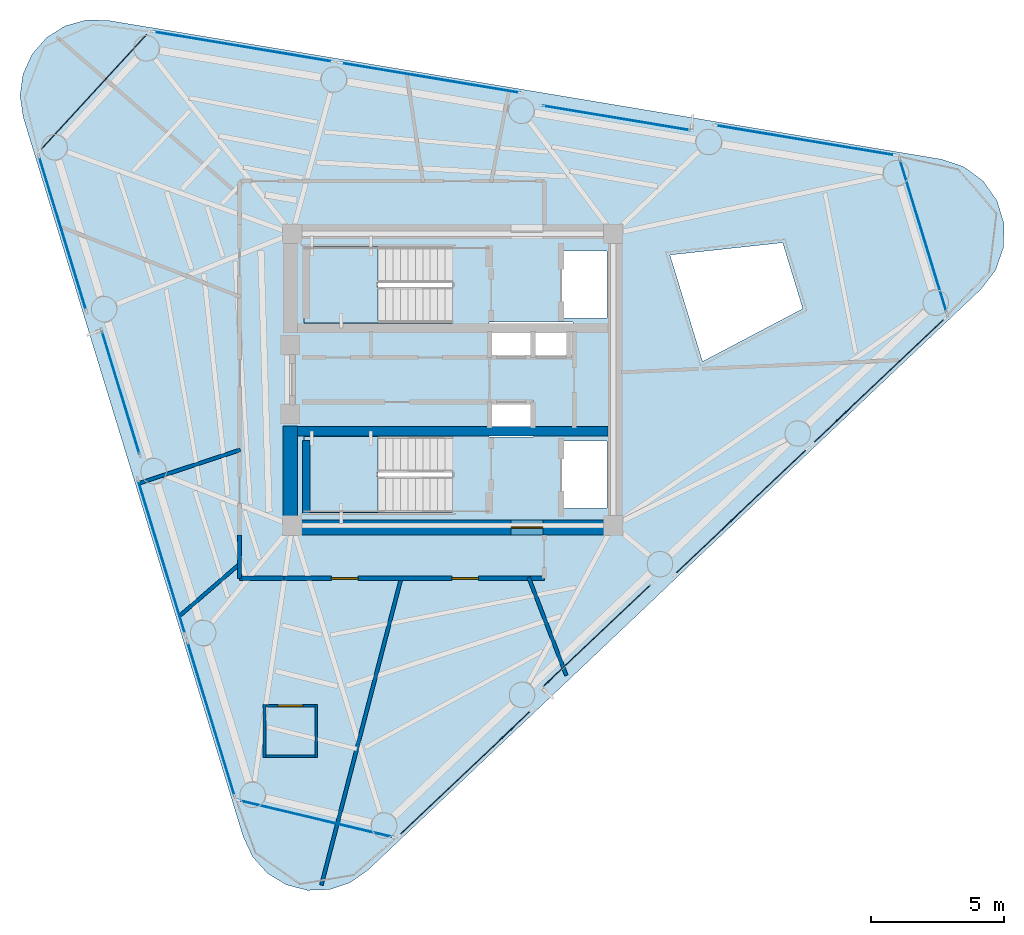
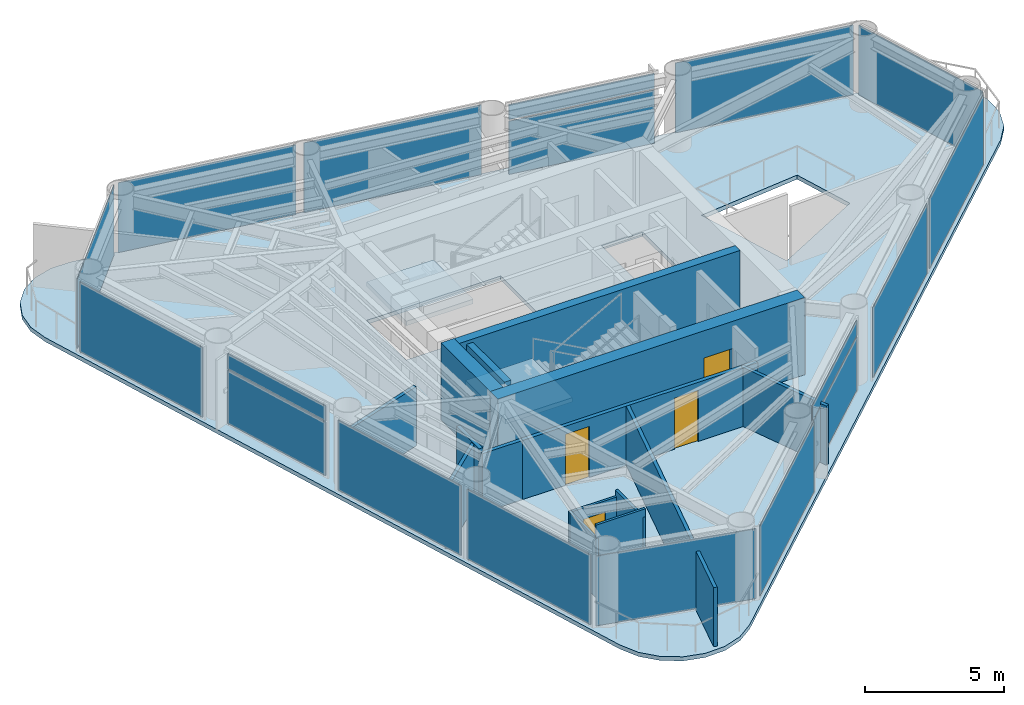
# One storey, part 4 of 8: 18 plates, 15 walls, 4 doors, 3 slabs, 4 openings, 17 elements without a shape of their own.
"""IFC4 building model written with IfcOpenShell, lengths in metres."""

from ifc_helpers import new_model, si_unit, direction, frame, frame_2d, origin, origin_2d, place, context, subcontext, project, spatial, polyline, rectangle, outline, extrude, source, transform, mapped, material, layer, layer_set, type_object, element, fill, aggregate, save


model = new_model("IFC4")

# Units and contexts
model_context = context("Model", 3, precision=1e-05, world=origin(), true_north=direction((0.0, 1.0)))
body_context = subcontext(model_context, "Body", "Model", "MODEL_VIEW")
ifc_project = project(units=[si_unit("LENGTHUNIT", "METRE"), si_unit("AREAUNIT", "SQUARE_METRE"), si_unit("VOLUMEUNIT", "CUBIC_METRE"), si_unit("PLANEANGLEUNIT", "RADIAN"), si_unit("MASSUNIT", "GRAM", prefix="KILO")], contexts=[model_context])

# Site, building, storey
site_placement = place(None, origin())
site = spatial("IfcSite", under=ifc_project, at=site_placement, CompositionType="ELEMENT")
building_placement = place(site_placement, origin())
building = spatial("IfcBuilding", under=site, at=building_placement, Name="Yunling Apex Tower", CompositionType="ELEMENT")
storey_placement = place(building_placement, frame((0.0, 0.0, 242.25)))
storey = spatial("IfcBuildingStorey", under=building, at=storey_placement, Name="L59", CompositionType="ELEMENT", Elevation=242.25)

# Slab
ifc_material_1 = material(Name="Concrete C40", Category="concrete")
ifc_layer_1 = layer(ifc_material_1, 0.155029296875)
ifc_layer_set_1 = layer_set([ifc_layer_1], Name="Concrete C40")
slab_type_1 = type_object("IfcSlabType", Name="SL-FLR-3", PredefinedType="FLOOR", material=ifc_layer_set_1)
slab_1_placement = place(storey_placement, frame((0.0, 0.0, -0.179931640625)))
element("IfcSlab", 1, at=slab_1_placement, inside=storey, type_object=slab_type_1, Name="L59 Composite Tower Floor Slab", PredefinedType="FLOOR", context=body_context, shape_type="SweptSolid", body=[
    extrude(outline(polyline([(-7.894287109375, -17.243408203125), (-7.54052734375, -17.991455078125), (-6.9873046875, -18.60693359375), (-6.281005859375, -19.0380859375), (-5.480712890625, -19.249267578125), (-4.65380859375, -19.22216796875), (-3.868896484375, -18.959716796875), (-3.192138671875, -18.483154296875), (19.91064453125, 3.409912109375), (20.459716796875, 4.126220703125), (20.7578125, 4.977783203125), (20.776123046875, 5.880126953125), (20.51220703125, 6.7431640625), (19.99267578125, 7.48095703125), (19.26904296875, 8.02001953125), (18.41357421875, 8.306884765625), (-12.982177734375, 13.538330078125), (-13.8095703125, 13.5546875), (-14.60693359375, 13.33349609375), (-15.307861328125, 12.8935546875), (-15.853271484375, 12.27099609375), (-16.197509765625, 11.5185546875), (-16.31201171875, 10.698974609375), (-16.187255859375, 9.881103515625), (-7.894287109375, -17.243408203125)]), holes=[polyline([(8.18408203125, 4.697998046875), (12.434326171875, 5.160888671875), (13.194580078125, 2.674560546875), (9.412109375, 0.681640625), (8.18408203125, 4.697998046875)]), polyline([(4.090087890625, -2.320068359375), (5.81005859375, -2.320068359375), (5.81005859375, -4.840087890625), (4.090087890625, -4.840087890625), (4.090087890625, -2.320068359375)]), polyline([(4.090087890625, 4.840087890625), (5.81005859375, 4.840087890625), (5.81005859375, 2.320068359375), (4.090087890625, 2.320068359375), (4.090087890625, 4.840087890625)]), polyline([(1.364990234375, 0.794921875), (1.364990234375, 2.1650390625), (4.534912109375, 2.1650390625), (4.534912109375, 0.794921875), (1.364990234375, 0.794921875)]), polyline([(1.364990234375, -0.794921875), (3.034912109375, -0.794921875), (3.034912109375, -2.1650390625), (1.364990234375, -2.1650390625), (1.364990234375, -0.794921875)]), polyline([(-0.010009765625, -5.010009765625), (-5.60009765625, -5.010009765625), (-5.60009765625, -2.139892578125), (-0.010009765625, -2.139892578125), (-0.010009765625, -5.010009765625)]), polyline([(-0.010009765625, 2.139892578125), (-5.60009765625, 2.139892578125), (-5.60009765625, 5.010009765625), (-0.010009765625, 5.010009765625), (-0.010009765625, 2.139892578125)])]), origin(), (0.0, 0.0, 1.0), 0.179931640625),
])

# Stair, slab
stair_type = type_object("IfcStairType", Name="ST-TWR-3", PredefinedType="HALF_TURN_STAIR", material=ifc_material_1)
stair_1_placement = place(storey_placement, origin())
stair_1 = element("IfcStair", 2, at=stair_1_placement, inside=storey, type_object=stair_type, Name="L59 North Core Smokeproof Exit Stair ST-1", PredefinedType="HALF_TURN_STAIR")
ifc_layer_2 = layer(ifc_material_1, 0.195068359375)
ifc_layer_set_2 = layer_set([ifc_layer_2], Name="Concrete C40")
slab_type_2 = type_object("IfcSlabType", Name="SL-LND-1", PredefinedType="LANDING", material=ifc_layer_set_2)
slab_2_placement = place(storey_placement, frame((0.0, 0.0, 1.5048828125)))
slab_2 = element("IfcSlab", 3, at=slab_2_placement, type_object=slab_type_2, Name="ST-1 landing 1", PredefinedType="LANDING", context=body_context, shape_type="SweptSolid", body=[
    extrude(outline(polyline([(-2.81005859375, 5.010009765625), (-5.60009765625, 5.010009765625), (-5.60009765625, 2.139892578125), (-2.81005859375, 2.139892578125), (-2.81005859375, 5.010009765625)])), origin(), (0.0, 0.0, 1.0), 0.195068359375),
])
aggregate(stair_1, [slab_2])

stair_2_placement = place(storey_placement, origin())
stair_2 = element("IfcStair", 4, at=stair_2_placement, inside=storey, type_object=stair_type, Name="L59 South Core Smokeproof Exit Stair ST-2", PredefinedType="HALF_TURN_STAIR")
slab_3_placement = place(storey_placement, frame((0.0, 0.0, 1.5048828125)))
slab_3 = element("IfcSlab", 5, at=slab_3_placement, type_object=slab_type_2, Name="ST-2 landing 1", PredefinedType="LANDING", context=body_context, shape_type="SweptSolid", body=[
    extrude(outline(polyline([(-2.81005859375, -2.139892578125), (-5.60009765625, -2.139892578125), (-5.60009765625, -5.010009765625), (-2.81005859375, -5.010009765625), (-2.81005859375, -2.139892578125)])), origin(), (0.0, 0.0, 1.0), 0.195068359375),
])
aggregate(stair_2, [slab_3])

# Curtain wall, plate
ifc_material_2 = material(Name="Bronze anodised aluminium", Category="aluminium")
ifc_layer_3 = layer(ifc_material_2, 0.219970703125)
ifc_layer_set_3 = layer_set([ifc_layer_3], Name="Bronze anodised aluminium")
curtain_wall_type = type_object("IfcCurtainWallType", Name="CW-SYS-4", PredefinedType="NOTDEFINED", material=ifc_layer_set_3)
curtain_wall_1_placement = place(storey_placement, origin())
curtain_wall_1 = element("IfcCurtainWall", 6, at=curtain_wall_1_placement, inside=storey, type_object=curtain_wall_type, Name="CW-L59-F1-B2", PredefinedType="NOTDEFINED")
ifc_material_3 = material(Name="Bronze tinted low-E glass", Category="glass")
ifc_layer_4 = layer(ifc_material_3, 0.030029296875)
ifc_layer_set_4 = layer_set([ifc_layer_4], Name="Bronze tinted low-E glass")
plate_type = type_object("IfcPlateType", Name="CW-PNL-4", PredefinedType="CURTAIN_PANEL", material=ifc_layer_set_4)
shared_shape_1 = source(origin(), body_context, "Body", "SweptSolid", [
    extrude(rectangle(XDim=5.617431640625, YDim=0.030029296875, at=origin_2d()), origin(), (0.0, 0.0, 1.0), 2.34326171875),
])
plate_1_placement = place(storey_placement, frame((5.429931640625, -9.651123046875, 0.072021484375), z_axis=(0.0, 0.0, 1.0), x_axis=(0.725848686167, 0.687854406681, 0.0)))
plate_1 = element("IfcPlate", 7, at=plate_1_placement, type_object=plate_type, Name="CW-SYS-4 panel 1.1", PredefinedType="CURTAIN_PANEL", context=body_context, shape_type="MappedRepresentation", body=[
    mapped(shared_shape_1, transform((0.0, 0.0, 0.0), scale=1.0)),
])

curtain_wall_2_placement = place(storey_placement, origin())
curtain_wall_2 = element("IfcCurtainWall", 8, at=curtain_wall_2_placement, inside=storey, type_object=curtain_wall_type, Name="CW-L59-F2-B2", PredefinedType="NOTDEFINED")
plate_2_placement = place(storey_placement, frame((6.168701171875, 9.860595703125, 0.072021484375), z_axis=(0.0, 0.0, 1.0), x_axis=(-0.986398614513, 0.164370840747, 0.0)))
plate_2 = element("IfcPlate", 9, at=plate_2_placement, type_object=plate_type, Name="CW-SYS-4 panel 1.1", PredefinedType="CURTAIN_PANEL", context=body_context, shape_type="MappedRepresentation", body=[
    mapped(shared_shape_1, transform((0.0, 0.0, 0.0), scale=1.0)),
])

# Plate
shared_shape_2 = source(origin(), body_context, "Body", "SweptSolid", [
    extrude(rectangle(XDim=5.617431640625, YDim=0.030029296875, at=origin_2d()), origin(), (0.0, 0.0, 1.0), 0.668701171875),
])
plate_3_placement = place(storey_placement, frame((5.429931640625, -9.651123046875, 2.4794921875), z_axis=(0.0, 0.0, 1.0), x_axis=(0.725848686167, 0.687854406681, 0.0)))
plate_3 = element("IfcPlate", 10, at=plate_3_placement, type_object=plate_type, Name="CW-SYS-4 panel 1.2", PredefinedType="CURTAIN_PANEL", context=body_context, shape_type="MappedRepresentation", body=[
    mapped(shared_shape_2, transform((0.0, 0.0, 0.0), scale=1.0)),
])

aggregate(curtain_wall_1, [plate_1, plate_3])

plate_4_placement = place(storey_placement, frame((6.168701171875, 9.860595703125, 2.4794921875), z_axis=(0.0, 0.0, 1.0), x_axis=(-0.986398614513, 0.164370840747, 0.0)))
plate_4 = element("IfcPlate", 11, at=plate_4_placement, type_object=plate_type, Name="CW-SYS-4 panel 1.2", PredefinedType="CURTAIN_PANEL", context=body_context, shape_type="MappedRepresentation", body=[
    mapped(shared_shape_2, transform((0.0, 0.0, 0.0), scale=1.0)),
])

aggregate(curtain_wall_2, [plate_2, plate_4])

# Curtain wall, plate
curtain_wall_3_placement = place(storey_placement, origin())
curtain_wall_3 = element("IfcCurtainWall", 12, at=curtain_wall_3_placement, inside=storey, type_object=curtain_wall_type, Name="CW-L59-F1-B1", PredefinedType="NOTDEFINED")
shared_shape_3 = source(origin(), body_context, "Body", "SweptSolid", [
    extrude(rectangle(XDim=6.857421875, YDim=0.030029296875, at=origin_2d()), origin(), (0.0, 0.0, 1.0), 3.075927734375),
])
plate_5_placement = place(storey_placement, frame((0.4658203125, -14.823974609375, 0.072265625), z_axis=(0.0, 0.0, 1.0), x_axis=(0.72585471909, 0.687848040467, 0.0)))
plate_5 = element("IfcPlate", 13, at=plate_5_placement, type_object=plate_type, Name="CW-SYS-4 panel 1.1", PredefinedType="CURTAIN_PANEL", context=body_context, shape_type="MappedRepresentation", body=[
    mapped(shared_shape_3, transform((0.0, 0.0, 0.0), scale=1.0)),
])
aggregate(curtain_wall_3, [plate_5])

curtain_wall_4_placement = place(storey_placement, origin())
curtain_wall_4 = element("IfcCurtainWall", 14, at=curtain_wall_4_placement, inside=storey, type_object=curtain_wall_type, Name="CW-L59-F1-B3", PredefinedType="NOTDEFINED")
plate_6_placement = place(storey_placement, frame((10.862060546875, -4.97216796875, 0.072265625), z_axis=(0.0, 0.0, 1.0), x_axis=(0.72585471909, 0.687848040467, 0.0)))
plate_6 = element("IfcPlate", 15, at=plate_6_placement, type_object=plate_type, Name="CW-SYS-4 panel 1.1", PredefinedType="CURTAIN_PANEL", context=body_context, shape_type="MappedRepresentation", body=[
    mapped(shared_shape_3, transform((0.0, 0.0, 0.0), scale=1.0)),
])
aggregate(curtain_wall_4, [plate_6])

curtain_wall_5_placement = place(storey_placement, origin())
curtain_wall_5 = element("IfcCurtainWall", 16, at=curtain_wall_5_placement, inside=storey, type_object=curtain_wall_type, Name="CW-L59-F1-B4", PredefinedType="NOTDEFINED")
plate_7_placement = place(storey_placement, frame((16.060302734375, -0.046142578125, 0.072265625), z_axis=(0.0, 0.0, 1.0), x_axis=(0.72585471909, 0.687848040467, 0.0)))
plate_7 = element("IfcPlate", 17, at=plate_7_placement, type_object=plate_type, Name="CW-SYS-4 panel 1.1", PredefinedType="CURTAIN_PANEL", context=body_context, shape_type="MappedRepresentation", body=[
    mapped(shared_shape_3, transform((0.0, 0.0, 0.0), scale=1.0)),
])
aggregate(curtain_wall_5, [plate_7])

curtain_wall_6_placement = place(storey_placement, origin())
curtain_wall_6 = element("IfcCurtainWall", 18, at=curtain_wall_6_placement, inside=storey, type_object=curtain_wall_type, Name="CW-L59-F2-B1", PredefinedType="NOTDEFINED")
plate_8_placement = place(storey_placement, frame((13.288818359375, 9.01904296875, 0.072265625), z_axis=(0.0, 0.0, 1.0), x_axis=(-0.9864016432, 0.164352664392, 0.0)))
plate_8 = element("IfcPlate", 19, at=plate_8_placement, type_object=plate_type, Name="CW-SYS-4 panel 1.1", PredefinedType="CURTAIN_PANEL", context=body_context, shape_type="MappedRepresentation", body=[
    mapped(shared_shape_3, transform((0.0, 0.0, 0.0), scale=1.0)),
])
aggregate(curtain_wall_6, [plate_8])

curtain_wall_7_placement = place(storey_placement, origin())
curtain_wall_7 = element("IfcCurtainWall", 20, at=curtain_wall_7_placement, inside=storey, type_object=curtain_wall_type, Name="CW-L59-F2-B3", PredefinedType="NOTDEFINED")
plate_9_placement = place(storey_placement, frame((-0.83935546875, 11.373046875, 0.072265625), z_axis=(0.0, 0.0, 1.0), x_axis=(-0.9864016432, 0.164352664392, 0.0)))
plate_9 = element("IfcPlate", 21, at=plate_9_placement, type_object=plate_type, Name="CW-SYS-4 panel 1.1", PredefinedType="CURTAIN_PANEL", context=body_context, shape_type="MappedRepresentation", body=[
    mapped(shared_shape_3, transform((0.0, 0.0, 0.0), scale=1.0)),
])
aggregate(curtain_wall_7, [plate_9])

curtain_wall_8_placement = place(storey_placement, origin())
curtain_wall_8 = element("IfcCurtainWall", 22, at=curtain_wall_8_placement, inside=storey, type_object=curtain_wall_type, Name="CW-L59-F2-B4", PredefinedType="NOTDEFINED")
plate_10_placement = place(storey_placement, frame((-7.9033203125, 12.550048828125, 0.072265625), z_axis=(0.0, 0.0, 1.0), x_axis=(-0.9864016432, 0.164352664392, 0.0)))
plate_10 = element("IfcPlate", 23, at=plate_10_placement, type_object=plate_type, Name="CW-SYS-4 panel 1.1", PredefinedType="CURTAIN_PANEL", context=body_context, shape_type="MappedRepresentation", body=[
    mapped(shared_shape_3, transform((0.0, 0.0, 0.0), scale=1.0)),
])
aggregate(curtain_wall_8, [plate_10])

curtain_wall_9_placement = place(storey_placement, origin())
curtain_wall_9 = element("IfcCurtainWall", 24, at=curtain_wall_9_placement, inside=storey, type_object=curtain_wall_type, Name="CW-L59-CRN1", PredefinedType="NOTDEFINED")
shared_shape_4 = source(origin(), body_context, "Body", "SweptSolid", [
    extrude(rectangle(XDim=6.108642578125, YDim=0.030029296875, at=origin_2d()), origin(), (0.0, 0.0, 1.0), 3.075927734375),
])
plate_11_placement = place(storey_placement, frame((17.7314453125, 5.421142578125, 0.072265625), z_axis=(0.0, 0.0, 1.0), x_axis=(-0.292369275379, 0.956305498685, 0.0)))
plate_11 = element("IfcPlate", 25, at=plate_11_placement, type_object=plate_type, Name="CW-SYS-4 panel 1.1", PredefinedType="CURTAIN_PANEL", context=body_context, shape_type="MappedRepresentation", body=[
    mapped(shared_shape_4, transform((0.0, 0.0, 0.0), scale=1.0)),
])
aggregate(curtain_wall_9, [plate_11])

curtain_wall_10_placement = place(storey_placement, origin())
curtain_wall_10 = element("IfcCurtainWall", 26, at=curtain_wall_10_placement, inside=storey, type_object=curtain_wall_type, Name="CW-L59-CRN2", PredefinedType="NOTDEFINED")
shared_shape_5 = source(origin(), body_context, "Body", "SweptSolid", [
    extrude(rectangle(XDim=6.033203125, YDim=0.030029296875, at=origin_2d()), origin(), (0.0, 0.0, 1.0), 3.075927734375),
])
plate_12_placement = place(storey_placement, frame((-13.529052734375, 10.84521484375, 0.072265625), z_axis=(0.0, 0.0, 1.0), x_axis=(-0.676835909266, -0.736133922549, 0.0)))
plate_12 = element("IfcPlate", 27, at=plate_12_placement, type_object=plate_type, Name="CW-SYS-4 panel 1.1", PredefinedType="CURTAIN_PANEL", context=body_context, shape_type="MappedRepresentation", body=[
    mapped(shared_shape_5, transform((0.0, 0.0, 0.0), scale=1.0)),
])
aggregate(curtain_wall_10, [plate_12])

curtain_wall_11_placement = place(storey_placement, origin())
curtain_wall_11 = element("IfcCurtainWall", 28, at=curtain_wall_11_placement, inside=storey, type_object=curtain_wall_type, Name="CW-L59-F3-B1", PredefinedType="NOTDEFINED")
shared_shape_6 = source(origin(), body_context, "Body", "SweptSolid", [
    extrude(rectangle(XDim=6.077880859375, YDim=0.030029296875, at=origin_2d()), origin(), (0.0, 0.0, 1.0), 3.075927734375),
])
plate_13_placement = place(storey_placement, frame((-14.705810546875, 5.51416015625, 0.072265625), z_axis=(0.0, 0.0, 1.0), x_axis=(0.29237206414, -0.956304646078, 0.0)))
plate_13 = element("IfcPlate", 29, at=plate_13_placement, type_object=plate_type, Name="CW-SYS-4 panel 1.1", PredefinedType="CURTAIN_PANEL", context=body_context, shape_type="MappedRepresentation", body=[
    mapped(shared_shape_6, transform((0.0, 0.0, 0.0), scale=1.0)),
])
aggregate(curtain_wall_11, [plate_13])

curtain_wall_12_placement = place(storey_placement, origin())
curtain_wall_12 = element("IfcCurtainWall", 30, at=curtain_wall_12_placement, inside=storey, type_object=curtain_wall_type, Name="CW-L59-F3-B3", PredefinedType="NOTDEFINED")
plate_14_placement = place(storey_placement, frame((-10.973876953125, -6.69189453125, 0.072265625), z_axis=(0.0, 0.0, 1.0), x_axis=(0.29237206414, -0.956304646078, 0.0)))
plate_14 = element("IfcPlate", 31, at=plate_14_placement, type_object=plate_type, Name="CW-SYS-4 panel 1.1", PredefinedType="CURTAIN_PANEL", context=body_context, shape_type="MappedRepresentation", body=[
    mapped(shared_shape_6, transform((0.0, 0.0, 0.0), scale=1.0)),
])
aggregate(curtain_wall_12, [plate_14])

curtain_wall_13_placement = place(storey_placement, origin())
curtain_wall_13 = element("IfcCurtainWall", 32, at=curtain_wall_13_placement, inside=storey, type_object=curtain_wall_type, Name="CW-L59-F3-B4", PredefinedType="NOTDEFINED")
plate_15_placement = place(storey_placement, frame((-9.108154296875, -12.794921875, 0.072265625), z_axis=(0.0, 0.0, 1.0), x_axis=(0.29237206414, -0.956304646078, 0.0)))
plate_15 = element("IfcPlate", 33, at=plate_15_placement, type_object=plate_type, Name="CW-SYS-4 panel 1.1", PredefinedType="CURTAIN_PANEL", context=body_context, shape_type="MappedRepresentation", body=[
    mapped(shared_shape_6, transform((0.0, 0.0, 0.0), scale=1.0)),
])
aggregate(curtain_wall_13, [plate_15])

# Curtain wall, plates
curtain_wall_14_placement = place(storey_placement, origin())
curtain_wall_14 = element("IfcCurtainWall", 34, at=curtain_wall_14_placement, inside=storey, type_object=curtain_wall_type, Name="CW-L59-F3-B2", PredefinedType="NOTDEFINED")
shared_shape_7 = source(origin(), body_context, "Body", "SweptSolid", [
    extrude(rectangle(XDim=4.837890625, YDim=0.030029296875, at=origin_2d()), origin(), (0.0, 0.0, 1.0), 2.34326171875),
])
plate_16_placement = place(storey_placement, frame((-12.5146484375, -0.489501953125, 0.072021484375), z_axis=(0.0, 0.0, 1.0), x_axis=(0.29237304737, -0.956304345474, 0.0)))
plate_16 = element("IfcPlate", 35, at=plate_16_placement, type_object=plate_type, Name="CW-SYS-4 panel 1.1", PredefinedType="CURTAIN_PANEL", context=body_context, shape_type="MappedRepresentation", body=[
    mapped(shared_shape_7, transform((0.0, 0.0, 0.0), scale=1.0)),
])
shared_shape_8 = source(origin(), body_context, "Body", "SweptSolid", [
    extrude(rectangle(XDim=4.837890625, YDim=0.030029296875, at=origin_2d()), origin(), (0.0, 0.0, 1.0), 0.668701171875),
])
plate_17_placement = place(storey_placement, frame((-12.5146484375, -0.489501953125, 2.4794921875), z_axis=(0.0, 0.0, 1.0), x_axis=(0.29237304737, -0.956304345474, 0.0)))
plate_17 = element("IfcPlate", 36, at=plate_17_placement, type_object=plate_type, Name="CW-SYS-4 panel 1.2", PredefinedType="CURTAIN_PANEL", context=body_context, shape_type="MappedRepresentation", body=[
    mapped(shared_shape_8, transform((0.0, 0.0, 0.0), scale=1.0)),
])
aggregate(curtain_wall_14, [plate_16, plate_17])

# Curtain wall, plate
curtain_wall_15_placement = place(storey_placement, origin())
curtain_wall_15 = element("IfcCurtainWall", 37, at=curtain_wall_15_placement, inside=storey, type_object=curtain_wall_type, Name="CW-L59-CRN3", PredefinedType="NOTDEFINED")
shared_shape_9 = source(origin(), body_context, "Body", "SweptSolid", [
    extrude(rectangle(XDim=6.032958984375, YDim=0.030029296875, at=origin_2d()), origin(), (0.0, 0.0, 1.0), 3.075927734375),
])
plate_18_placement = place(storey_placement, frame((-5.151611328125, -16.556396484375, 0.072265625), z_axis=(0.0, 0.0, 1.0), x_axis=(0.97276120775, -0.231809474992, 0.0)))
plate_18 = element("IfcPlate", 38, at=plate_18_placement, type_object=plate_type, Name="CW-SYS-4 panel 1.1", PredefinedType="CURTAIN_PANEL", context=body_context, shape_type="MappedRepresentation", body=[
    mapped(shared_shape_9, transform((0.0, 0.0, 0.0), scale=1.0)),
])
aggregate(curtain_wall_15, [plate_18])

# Wall, opening, door
ifc_layer_5 = layer(ifc_material_1, 0.550048828125)
ifc_layer_set_5 = layer_set([ifc_layer_5], Name="Concrete C40")
wall_type_1 = type_object("IfcWallType", Name="WL-COR-3", PredefinedType="SHEAR", material=ifc_layer_set_5)
wall_1_placement = place(storey_placement, frame((-6.39990234375, -5.574951171875, 0.0), z_axis=(0.0, 0.0, 1.0), x_axis=(1.0, 0.0, 0.0)))
wall_1 = element("IfcWall", 39, at=wall_1_placement, inside=storey, type_object=wall_type_1, Name="L59 South Core Shear Wall", PredefinedType="SHEAR", context=body_context, shape_type="SweptSolid", body=[
    extrude(rectangle(XDim=12.7998046875, YDim=0.550048828125, at=frame_2d((6.39990234375, 0.0))), origin(), (0.0, 0.0, 1.0), 3.39990234375),
])
opening_1_placement = place(wall_1_placement, frame((8.60009765625, 0.0, 0.0)))
opening_1 = element("IfcOpeningElement", 40, at=opening_1_placement, cuts=wall_1, Name="Opening DR-FFL-1", PredefinedType="OPENING", context=body_context, shape_type="SweptSolid", body=[
    extrude(rectangle(XDim=1.199951171875, YDim=2.199951171875, at=frame_2d((0.60009765625, 1.10009765625))), frame((0.0, 0.28515625, 0.0), z_axis=(0.0, -1.0, 0.0), x_axis=(1.0, 0.0, 0.0)), (0.0, 0.0, 1.0), 0.570068359375),
])
ifc_material_4 = material(Name="Steel Q355B", Category="steel")
door_type_1 = type_object("IfcDoorType", Name="DR-FFL-1", OperationType="NOTDEFINED", PredefinedType="DOOR", material=ifc_material_4)
door_1_placement = place(opening_1_placement, origin())
door_1 = element("IfcDoor", 41, at=door_1_placement, inside=storey, type_object=door_type_1, Name="L59 South Firefighting Lobby Door", OperationType="SINGLE_SWING_RIGHT", OverallHeight=2.199951171875, OverallWidth=1.199951171875, PredefinedType="DOOR", context=body_context, shape_type="SweptSolid", body=[
    extrude(rectangle(XDim=1.199951171875, YDim=2.199951171875, at=frame_2d((0.60009765625, 1.10009765625))), frame((0.0, 0.02490234375, 0.0), z_axis=(0.0, -1.0, 0.0), x_axis=(1.0, 0.0, 0.0)), (0.0, 0.0, 1.0), 0.050048828125),
])
fill(opening_1, door_1)

# Walls
wall_2_placement = place(storey_placement, frame((-6.125, -5.300048828125, 0.0), z_axis=(0.0, 0.0, 1.0), x_axis=(0.0, 1.0, 0.0)))
element("IfcWall", 42, at=wall_2_placement, inside=storey, type_object=wall_type_1, Name="L59 West-South Core Shear Wall", PredefinedType="SHEAR", context=body_context, shape_type="SweptSolid", body=[
    extrude(rectangle(XDim=3.550048828125, YDim=0.550048828125, at=frame_2d((1.77490234375, 0.0))), origin(), (0.0, 0.0, 1.0), 3.39990234375),
])
ifc_layer_6 = layer(ifc_material_1, 0.360107421875)
ifc_layer_set_6 = layer_set([ifc_layer_6], Name="Concrete C40")
wall_type_2 = type_object("IfcWallType", Name="WL-COR-4", PredefinedType="SHEAR", material=ifc_layer_set_6)
wall_3_placement = place(storey_placement, frame((-5.85009765625, -1.93994140625, 0.0), z_axis=(0.0, 0.0, 1.0), x_axis=(1.0, 0.0, 0.0)))
element("IfcWall", 43, at=wall_3_placement, inside=storey, type_object=wall_type_2, Name="L59 South Internal Core Shear Wall", PredefinedType="SHEAR", context=body_context, shape_type="SweptSolid", body=[
    extrude(rectangle(XDim=11.7001953125, YDim=0.360107421875, at=frame_2d((5.85009765625, 0.0))), origin(), (0.0, 0.0, 1.0), 3.39990234375),
])
ifc_layer_7 = layer(ifc_material_1, 0.280029296875)
ifc_layer_set_7 = layer_set([ifc_layer_7], Name="Concrete C40")
wall_type_3 = type_object("IfcWallType", Name="WL-COR-8", PredefinedType="SHEAR", material=ifc_layer_set_7)
wall_4_placement = place(storey_placement, frame((-5.52001953125, -5.050048828125, 0.0), z_axis=(0.0, 0.0, 1.0), x_axis=(0.0, 1.0, 0.0)))
element("IfcWall", 44, at=wall_4_placement, inside=storey, type_object=wall_type_3, Name="L59 ST-2 West Landing Bearing Wall", PredefinedType="SHEAR", context=body_context, shape_type="SweptSolid", body=[
    extrude(rectangle(XDim=2.75, YDim=0.280029296875, at=frame_2d((1.375, 0.0))), origin(), (0.0, 0.0, 1.0), 3.39990234375),
])

# Wall, openings, doors
ifc_material_5 = material(Name="Gypsum board acoustic partition")
ifc_layer_8 = layer(ifc_material_5, 0.159912109375)
ifc_layer_set_8 = layer_set([ifc_layer_8], Name="Gypsum board acoustic partition")
wall_type_4 = type_object("IfcWallType", Name="WL-PRT-1", PredefinedType="PARTITIONING", material=ifc_layer_set_8)
wall_5_placement = place(storey_placement, frame((3.449951171875, -7.489990234375, 0.0), z_axis=(0.0, 0.0, 1.0), x_axis=(-1.0, 0.0, 0.0)))
wall_5 = element("IfcWall", 45, at=wall_5_placement, inside=storey, type_object=wall_type_4, Name="WL-CORR-L59-06", PredefinedType="PARTITIONING", context=body_context, shape_type="SweptSolid", body=[
    extrude(rectangle(XDim=9.81005859375, YDim=0.159912109375, at=frame_2d((4.905029296875, 0.0))), origin(), (0.0, 0.0, 1.0), 2.60498046875),
])
opening_2_placement = place(wall_5_placement, frame((2.48193359375, 0.0, 0.0)))
opening_2 = element("IfcOpeningElement", 46, at=opening_2_placement, cuts=wall_5, Name="Opening DR-OFF-1", PredefinedType="OPENING", context=body_context, shape_type="SweptSolid", body=[
    extrude(rectangle(XDim=1.0, YDim=2.25, at=frame_2d((0.5, 1.125))), frame((0.0, 0.08984375, 0.0), z_axis=(0.0, -1.0, 0.0), x_axis=(1.0, 0.0, 0.0)), (0.0, 0.0, 1.0), 0.179931640625),
])
opening_3_placement = place(wall_5_placement, frame((7.021240234375, 0.0, 0.0)))
opening_3 = element("IfcOpeningElement", 47, at=opening_3_placement, cuts=wall_5, Name="Opening DR-OFF-1", PredefinedType="OPENING", context=body_context, shape_type="SweptSolid", body=[
    extrude(rectangle(XDim=1.0, YDim=2.25, at=frame_2d((0.5, 1.125))), frame((0.0, 0.08984375, 0.0), z_axis=(0.0, -1.0, 0.0), x_axis=(1.0, 0.0, 0.0)), (0.0, 0.0, 1.0), 0.179931640625),
])
door_type_2 = type_object("IfcDoorType", Name="DR-OFF-1", OperationType="NOTDEFINED", PredefinedType="DOOR", material=ifc_material_2)
door_2_placement = place(opening_2_placement, origin())
door_2 = element("IfcDoor", 48, at=door_2_placement, inside=storey, type_object=door_type_2, Name="L59 Private Dining Kitchen Door", OperationType="SINGLE_SWING_RIGHT", OverallHeight=2.25, OverallWidth=1.0, PredefinedType="DOOR", context=body_context, shape_type="SweptSolid", body=[
    extrude(rectangle(XDim=1.0, YDim=2.25, at=frame_2d((0.5, 1.125))), frame((0.0, 0.02490234375, 0.0), z_axis=(0.0, -1.0, 0.0), x_axis=(1.0, 0.0, 0.0)), (0.0, 0.0, 1.0), 0.050048828125),
])
fill(opening_2, door_2)
door_3_placement = place(opening_3_placement, origin())
door_3 = element("IfcDoor", 49, at=door_3_placement, inside=storey, type_object=door_type_2, Name="L59 Parcel Archive Store Door", OperationType="SINGLE_SWING_LEFT", OverallHeight=2.25, OverallWidth=1.0, PredefinedType="DOOR", context=body_context, shape_type="SweptSolid", body=[
    extrude(rectangle(XDim=1.0, YDim=2.25, at=frame_2d((0.5, 1.125))), frame((0.0, 0.02490234375, 0.0), z_axis=(0.0, -1.0, 0.0), x_axis=(1.0, 0.0, 0.0)), (0.0, 0.0, 1.0), 0.050048828125),
])
fill(opening_3, door_3)

# Walls
wall_6_placement = place(storey_placement, frame((-6.360107421875, -7.489990234375, 0.0), z_axis=(0.0, 0.0, 1.0), x_axis=(-1.0, 0.0, 0.0)))
element("IfcWall", 50, at=wall_6_placement, inside=storey, type_object=wall_type_4, Name="WL-CORR-L59-07", PredefinedType="PARTITIONING", context=body_context, shape_type="SweptSolid", body=[
    extrude(rectangle(XDim=1.679931640625, YDim=0.159912109375, at=frame_2d((0.83984375, 0.0))), origin(), (0.0, 0.0, 1.0), 2.60498046875),
])
wall_7_placement = place(storey_placement, frame((-8.0400390625, -7.489990234375, 0.0), z_axis=(0.0, 0.0, 1.0), x_axis=(0.0, 1.0, 0.0)))
element("IfcWall", 51, at=wall_7_placement, inside=storey, type_object=wall_type_4, Name="WL-CORR-L59-08", PredefinedType="PARTITIONING", context=body_context, shape_type="SweptSolid", body=[
    extrude(rectangle(XDim=1.639892578125, YDim=0.159912109375, at=frame_2d((0.81982421875, 0.0))), origin(), (0.0, 0.0, 1.0), 2.804931640625),
])
ifc_layer_9 = layer(ifc_material_5, 0.139892578125)
ifc_layer_set_9 = layer_set([ifc_layer_9], Name="Gypsum board acoustic partition")
wall_type_5 = type_object("IfcWallType", Name="WL-PRT-2", PredefinedType="PARTITIONING", material=ifc_layer_set_9)
wall_8_placement = place(storey_placement, frame((-8.0, -2.6435546875, 0.0), z_axis=(0.0, 0.0, 1.0), x_axis=(-0.949500330173, -0.313766032263, 0.0)))
element("IfcWall", 52, at=wall_8_placement, inside=storey, type_object=wall_type_5, Name="WL-RAD-L59-07", PredefinedType="PARTITIONING", context=body_context, shape_type="SweptSolid", body=[
    extrude(rectangle(XDim=3.988525390625, YDim=0.139892578125, at=frame_2d((1.994140625, 0.0))), origin(), (0.0, 0.0, 1.0), 2.60498046875),
])
wall_9_placement = place(storey_placement, frame((-8.0, -6.91943359375, 0.0), z_axis=(0.0, 0.0, 1.0), x_axis=(-0.756358809539, -0.654156977516, 0.0)))
element("IfcWall", 53, at=wall_9_placement, inside=storey, type_object=wall_type_5, Name="WL-RAD-L59-08", PredefinedType="PARTITIONING", context=body_context, shape_type="SweptSolid", body=[
    extrude(rectangle(XDim=2.9931640625, YDim=0.139892578125, at=frame_2d((1.49658203125, 0.0))), origin(), (0.0, 0.0, 1.0), 2.764892578125),
])
wall_10_placement = place(storey_placement, frame((-1.9365234375, -7.449951171875, 0.0), z_axis=(0.0, 0.0, 1.0), x_axis=(-0.251581963347, -0.967835996292, 0.0)))
element("IfcWall", 54, at=wall_10_placement, inside=storey, type_object=wall_type_5, Name="WL-RAD-L59-09", PredefinedType="PARTITIONING", context=body_context, shape_type="SweptSolid", body=[
    extrude(rectangle(XDim=11.987548828125, YDim=0.139892578125, at=frame_2d((5.99365234375, 0.0))), origin(), (0.0, 0.0, 1.0), 2.60498046875),
])
wall_11_placement = place(storey_placement, frame((2.85986328125, -7.449951171875, 0.0), z_axis=(0.0, 0.0, 1.0), x_axis=(0.35834382605, -0.933589686282, 0.0)))
element("IfcWall", 55, at=wall_11_placement, inside=storey, type_object=wall_type_5, Name="WL-RAD-L59-10", PredefinedType="PARTITIONING", context=body_context, shape_type="SweptSolid", body=[
    extrude(rectangle(XDim=3.966552734375, YDim=0.139892578125, at=frame_2d((1.9833984375, 0.0))), origin(), (0.0, 0.0, 1.0), 2.60498046875),
])

# Wall, opening, door
ifc_layer_10 = layer(ifc_material_5, 0.10009765625)
ifc_layer_set_10 = layer_set([ifc_layer_10], Name="Gypsum board acoustic partition")
wall_type_6 = type_object("IfcWallType", Name="WL-PRT-4", PredefinedType="PARTITIONING", material=ifc_layer_set_10)
wall_12_placement = place(storey_placement, frame((-7.14501953125, -12.298095703125, 0.0), z_axis=(0.0, 0.0, 1.0), x_axis=(1.0, 0.0, 0.0)))
wall_12 = element("IfcWall", 56, at=wall_12_placement, inside=storey, type_object=wall_type_6, Name="WL-L59-RWC2N", PredefinedType="PARTITIONING", context=body_context, shape_type="SweptSolid", body=[
    extrude(rectangle(XDim=2.050048828125, YDim=0.10009765625, at=frame_2d((1.02490234375, 0.0))), origin(), (0.0, 0.0, 1.0), 2.60498046875),
])
opening_4_placement = place(wall_12_placement, frame((0.56494140625, 0.0, 0.0)))
opening_4 = element("IfcOpeningElement", 57, at=opening_4_placement, cuts=wall_12, Name="Opening DR-WC-1", PredefinedType="OPENING", context=body_context, shape_type="SweptSolid", body=[
    extrude(rectangle(XDim=0.919921875, YDim=2.10009765625, at=frame_2d((0.4599609375, 1.050048828125))), frame((0.0, 0.06005859375, 0.0), z_axis=(0.0, -1.0, 0.0), x_axis=(1.0, 0.0, 0.0)), (0.0, 0.0, 1.0), 0.1201171875),
])
ifc_material_6 = material(Name="Timber moisture-resistant leaf", Category="wood")
door_type_3 = type_object("IfcDoorType", Name="DR-WC-1", OperationType="NOTDEFINED", PredefinedType="DOOR", material=ifc_material_6)
door_4_placement = place(opening_4_placement, origin())
door_4 = element("IfcDoor", 58, at=door_4_placement, inside=storey, type_object=door_type_3, Name="L59 Accessible WC Door", OperationType="SINGLE_SWING_LEFT", OverallHeight=2.10009765625, OverallWidth=0.919921875, PredefinedType="DOOR", context=body_context, shape_type="SweptSolid", body=[
    extrude(rectangle(XDim=0.919921875, YDim=2.10009765625, at=frame_2d((0.4599609375, 1.050048828125))), frame((0.0, 0.02490234375, 0.0), z_axis=(0.0, -1.0, 0.0), x_axis=(1.0, 0.0, 0.0)), (0.0, 0.0, 1.0), 0.050048828125),
])
fill(opening_4, door_4)

# Walls
wall_13_placement = place(storey_placement, frame((-5.094970703125, -14.197998046875, 0.0), z_axis=(0.0, 0.0, 1.0), x_axis=(-1.0, 0.0, 0.0)))
element("IfcWall", 59, at=wall_13_placement, inside=storey, type_object=wall_type_6, Name="WL-L59-RWC2S", PredefinedType="PARTITIONING", context=body_context, shape_type="SweptSolid", body=[
    extrude(rectangle(XDim=2.050048828125, YDim=0.10009765625, at=frame_2d((1.02490234375, 0.0))), origin(), (0.0, 0.0, 1.0), 3.199951171875),
])
wall_14_placement = place(storey_placement, frame((-5.14501953125, -12.248046875, 0.0), z_axis=(0.0, 0.0, 1.0), x_axis=(0.0, -1.0, 0.0)))
element("IfcWall", 60, at=wall_14_placement, inside=storey, type_object=wall_type_6, Name="WL-L59-RWC2E", PredefinedType="PARTITIONING", context=body_context, shape_type="SweptSolid", body=[
    extrude(rectangle(XDim=2.0, YDim=0.10009765625, at=frame_2d((1.0, 0.0))), origin(), (0.0, 0.0, 1.0), 2.85498046875),
])
wall_15_placement = place(storey_placement, frame((-7.094970703125, -14.248046875, 0.0), z_axis=(0.0, 0.0, 1.0), x_axis=(0.0, 1.0, 0.0)))
element("IfcWall", 61, at=wall_15_placement, inside=storey, type_object=wall_type_6, Name="WL-L59-RWC2W", PredefinedType="PARTITIONING", context=body_context, shape_type="SweptSolid", body=[
    extrude(rectangle(XDim=2.0, YDim=0.10009765625, at=frame_2d((1.0, 0.0))), origin(), (0.0, 0.0, 1.0), 2.60498046875),
])

save(model, "model.ifc")
